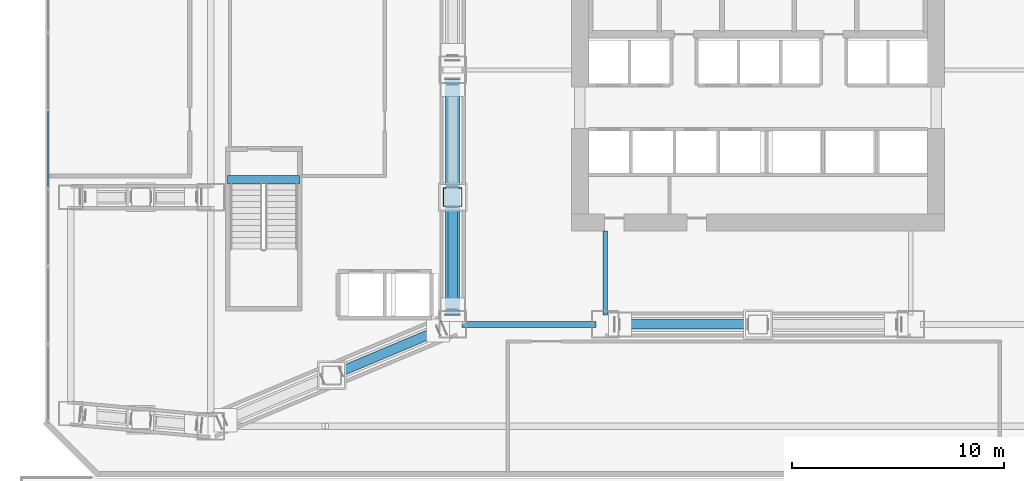
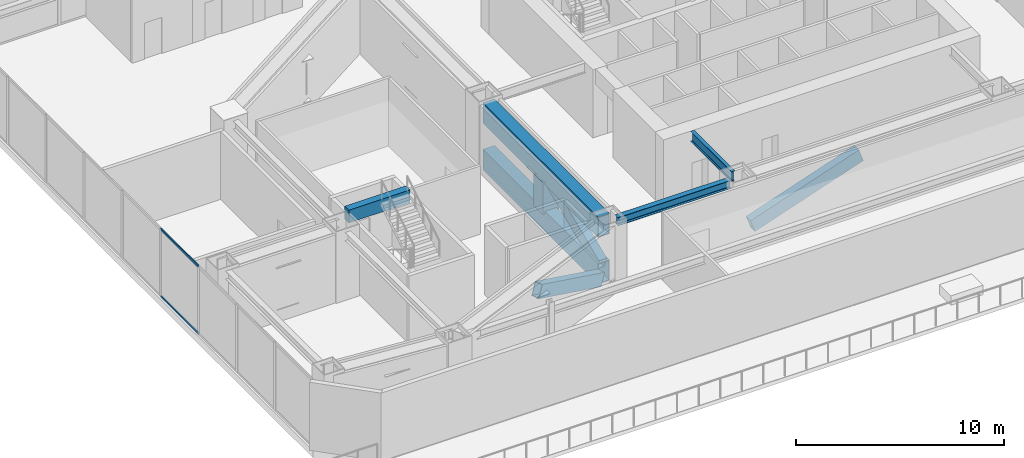
# One storey, part 7 of 39: 6 members, 5 beams, 1 element without a shape of its own.
"""IFC4 building model written with IfcOpenShell, lengths in metres."""

from ifc_helpers import new_model, si_unit, direction, frame, origin, origin_2d, place, context, subcontext, project, spatial, rectangle, hollow_rectangle, i_section, extrude, material, layer, layer_set, material_profile, profile_set, type_object, element, aggregate, save


model = new_model("IFC4")

# Units and contexts
model_context = context("Model", 3, precision=1e-05, world=origin(), true_north=direction((0.0, 1.0)))
body_context = subcontext(model_context, "Body", "Model", "MODEL_VIEW")
ifc_project = project(units=[si_unit("LENGTHUNIT", "METRE"), si_unit("AREAUNIT", "SQUARE_METRE"), si_unit("VOLUMEUNIT", "CUBIC_METRE"), si_unit("PLANEANGLEUNIT", "RADIAN"), si_unit("MASSUNIT", "GRAM", prefix="KILO")], contexts=[model_context])

# Site, building, storey
site_placement = place(None, origin())
site = spatial("IfcSite", under=ifc_project, at=site_placement, CompositionType="ELEMENT")
building_placement = place(site_placement, origin())
building = spatial("IfcBuilding", under=site, at=building_placement, Name="Haolan Belvedere Tower", CompositionType="ELEMENT")
storey_placement = place(building_placement, frame((0.0, 0.0, 19.800048828125)))
storey = spatial("IfcBuildingStorey", under=building, at=storey_placement, Name="L04", CompositionType="ELEMENT", Elevation=19.800048828125)

# Beams
ifc_material_1 = material(Name="Steel Q420GJC", Category="steel")
ifc_material_profile_1 = material_profile(ifc_material_1, hollow_rectangle(XDim=0.64990234375, YDim=1.199951171875, WallThickness=0.0400390625, at=origin_2d()), Name="Steel Q420GJC")
ifc_profile_set_1 = profile_set([ifc_material_profile_1], Name="Steel Q420GJC")
beam_type_1 = type_object("IfcBeamType", Name="BM-BOX1200x650x40", PredefinedType="BEAM", material=ifc_profile_set_1)
for number, where, z_axis, x_axis, name in (
    (1, (24.0, 22.050048828125, 3.33984375), (0.0, 1.0, 0.0), (-1.0, 0.0, 0.0), "L04 transfer truss TT-T3-W1 top chord"),
    (2, (24.0, 22.050048828125, 0.599853515625), (0.0, 1.0, 0.0), (-1.0, 0.0, 0.0), "L04 transfer truss TT-T3-W1 bottom chord"),
):
    element("IfcBeam", number, at=place(storey_placement, frame(where, z_axis=z_axis, x_axis=x_axis)), inside=storey, type_object=beam_type_1, Name=name, PredefinedType="BEAM", context=body_context, shape_type="SweptSolid", body=[
        extrude(hollow_rectangle(XDim=0.64990234375, YDim=1.199951171875, WallThickness=0.0400390625, at=origin_2d()), origin(), (0.0, 0.0, 1.0), 11.099853515625),
    ])
ifc_material_2 = material(Name="Steel Q355B", Category="steel")
ifc_material_profile_2 = material_profile(ifc_material_2, i_section(OverallWidth=0.300048828125, OverallDepth=0.488037109375, WebThickness=0.010986328125, FlangeThickness=0.01806640625, FilletRadius=0.02587890625, at=origin_2d()), Name="Steel Q355B")
ifc_profile_set_2 = profile_set([ifc_material_profile_2], Name="Steel Q355B")
beam_type_2 = type_object("IfcBeamType", Name="BM-HM488x300x11x18", PredefinedType="SPANDREL", material=ifc_profile_set_2)
beam_1_placement = place(storey_placement, frame((24.449951171875, 21.60009765625, 3.755859375), z_axis=(1.0, 0.0, 0.0), x_axis=(0.0, 1.0, 0.0)))
element("IfcBeam", 3, at=beam_1_placement, inside=storey, type_object=beam_type_2, Name="L04 spandrel girder MC-T3-SW-MC-T3-S1", PredefinedType="SPANDREL", context=body_context, shape_type="SweptSolid", body=[
    extrude(i_section(OverallWidth=0.300048828125, OverallDepth=0.488037109375, WebThickness=0.010986328125, FlangeThickness=0.01806640625, FilletRadius=0.02587890625, at=origin_2d()), origin(), (0.0, 0.0, 1.0), 6.300048828125),
])
ifc_material_profile_3 = material_profile(ifc_material_2, i_section(OverallWidth=0.199951171875, OverallDepth=0.60009765625, WebThickness=0.010986328125, FlangeThickness=0.01708984375, FilletRadius=0.02197265625, at=origin_2d()), Name="Steel Q355B")
ifc_profile_set_3 = profile_set([ifc_material_profile_3], Name="Steel Q355B")
beam_type_3 = type_object("IfcBeamType", Name="BM-HN600x200x11x17", PredefinedType="BEAM", material=ifc_profile_set_3)
beam_2_placement = place(storey_placement, frame((31.199951171875, 22.050048828125, 3.699951171875), z_axis=(0.0, 1.0, 0.0), x_axis=(-1.0, 0.0, 0.0)))
element("IfcBeam", 4, at=beam_2_placement, inside=storey, type_object=beam_type_3, Name="L04 core tie beam from MC-T3-S1", PredefinedType="BEAM", context=body_context, shape_type="SweptSolid", body=[
    extrude(i_section(OverallWidth=0.199951171875, OverallDepth=0.60009765625, WebThickness=0.010986328125, FlangeThickness=0.01708984375, FilletRadius=0.02197265625, at=origin_2d()), origin(), (0.0, 0.0, 1.0), 3.949951171875),
])
ifc_material_3 = material(Name="Concrete C50/60", Category="concrete")
ifc_material_profile_4 = material_profile(ifc_material_3, rectangle(XDim=0.39990234375, YDim=0.75, at=origin_2d()), Name="Concrete C50/60")
ifc_profile_set_4 = profile_set([ifc_material_profile_4], Name="Concrete C50/60")
beam_type_4 = type_object("IfcBeamType", Name="BM-RC400x750", PredefinedType="T_BEAM", material=ifc_profile_set_4)
beam_3_placement = place(storey_placement, frame((13.389892578125, 28.429931640625, 3.824951171875), z_axis=(1.0, 0.0, 0.0), x_axis=(0.0, 1.0, 0.0)))
element("IfcBeam", 5, at=beam_3_placement, inside=storey, type_object=beam_type_4, Name="L05 podium stair ST4 RC header trimmer beam", PredefinedType="BEAM", context=body_context, shape_type="SweptSolid", body=[
    extrude(rectangle(XDim=0.39990234375, YDim=0.75, at=origin_2d()), origin(), (0.0, 0.0, 1.0), 3.400146484375),
])

# Curtain wall, members
ifc_material_4 = material(Name="Anodised champagne-silver aluminium 6063-T6 and Low-E glass", Category="aluminium")
ifc_layer = layer(ifc_material_4, 0.179931640625, Name="Anodised champagne-silver aluminium 6063-T6 and Low-E glass")
ifc_layer_set = layer_set([ifc_layer], Name="Anodised champagne-silver aluminium 6063-T6 and Low-E glass")
curtain_wall_type = type_object("IfcCurtainWallType", Name="CW-SYS-01", PredefinedType="NOTDEFINED", material=ifc_layer_set)
curtain_wall_placement = place(storey_placement, origin())
curtain_wall = element("IfcCurtainWall", 6, at=curtain_wall_placement, inside=storey, type_object=curtain_wall_type, Name="L04 CW-SYS-01 ribbon curtain wall 4.1", PredefinedType="NOTDEFINED")
ifc_material_5 = material(Name="Anodised aluminium 6063-T6", Category="aluminium")
ifc_material_profile_5 = material_profile(ifc_material_5, hollow_rectangle(XDim=0.06005859375, YDim=0.139892578125, WallThickness=0.00390625, at=origin_2d()), Name="Anodised aluminium 6063-T6")
ifc_profile_set_5 = profile_set([ifc_material_profile_5], Name="Anodised aluminium 6063-T6")
member_type_1 = type_object("IfcMemberType", Name="CW-SYS-01-TRN", PredefinedType="USERDEFINED", material=ifc_profile_set_5)
member_1_placement = place(storey_placement, frame((4.929931640625, 31.65576171875, 0.030029296875), z_axis=(0.0, -1.0, 0.0), x_axis=(1.0, 0.0, 0.0)))
member_1 = element("IfcMember", 7, at=member_1_placement, type_object=member_type_1, Name="CW-01 transom 7.1", ObjectType="TRANSOM", PredefinedType="USERDEFINED", context=body_context, shape_type="SweptSolid", body=[
    extrude(hollow_rectangle(XDim=0.06005859375, YDim=0.139892578125, WallThickness=0.00390625, at=origin_2d()), origin(), (0.0, 0.0, 1.0), 3.608642578125),
])
member_2_placement = place(storey_placement, frame((4.929931640625, 31.65576171875, 3.969970703125), z_axis=(0.0, -1.0, 0.0), x_axis=(1.0, 0.0, 0.0)))
member_2 = element("IfcMember", 8, at=member_2_placement, type_object=member_type_1, Name="CW-01 transom 7.2", ObjectType="TRANSOM", PredefinedType="USERDEFINED", context=body_context, shape_type="SweptSolid", body=[
    extrude(hollow_rectangle(XDim=0.06005859375, YDim=0.139892578125, WallThickness=0.00390625, at=origin_2d()), origin(), (0.0, 0.0, 1.0), 3.608642578125),
])
aggregate(curtain_wall, [member_1, member_2])

# Members
ifc_material_6 = material(Name="Steel Q390GJC", Category="steel")
ifc_material_profile_6 = material_profile(ifc_material_6, hollow_rectangle(XDim=0.449951171875, YDim=0.75, WallThickness=0.028076171875, at=origin_2d()), Name="Steel Q390GJC")
ifc_profile_set_6 = profile_set([ifc_material_profile_6], Name="Steel Q390GJC")
member_type_2 = type_object("IfcMemberType", Name="MEM-BOX750x450x28", PredefinedType="BRACE", material=ifc_profile_set_6)
member_3_placement = place(storey_placement, frame((24.0, 22.2900390625, 0.93994140625), z_axis=(0.0, 0.919831415145, 0.392313863778), x_axis=(-1.0, 0.0, 0.0)))
element("IfcMember", 9, at=member_3_placement, inside=storey, type_object=member_type_2, Name="L04 transfer truss TT-T3-W1 web diagonal 1", PredefinedType="BRACE", context=body_context, shape_type="SweptSolid", body=[
    extrude(hollow_rectangle(XDim=0.449951171875, YDim=0.75, WallThickness=0.028076171875, at=origin_2d()), origin(), (0.0, 0.0, 1.0), 5.2509765625),
])
member_4_placement = place(storey_placement, frame((31.889892578125, 21.60009765625, 0.93994140625), z_axis=(0.94630069303, 0.0, 0.323287794963), x_axis=(0.0, 1.0, 0.0)))
element("IfcMember", 10, at=member_4_placement, inside=storey, type_object=member_type_2, Name="L04 transfer truss TT-T3-SM web diagonal 1", PredefinedType="BRACE", context=body_context, shape_type="SweptSolid", body=[
    extrude(hollow_rectangle(XDim=0.449951171875, YDim=0.75, WallThickness=0.028076171875, at=origin_2d()), origin(), (0.0, 0.0, 1.0), 6.372314453125),
])
member_5_placement = place(storey_placement, frame((23.31298828125, 21.310791015625, 0.93994140625), z_axis=(-0.851115134729, -0.358385802418, 0.383617835951), x_axis=(0.388076807636, -0.921627034855, 0.0)))
element("IfcMember", 11, at=member_5_placement, inside=storey, type_object=member_type_2, Name="L04 transfer truss TT-T2-S web diagonal 2", PredefinedType="BRACE", context=body_context, shape_type="SweptSolid", body=[
    extrude(hollow_rectangle(XDim=0.449951171875, YDim=0.75, WallThickness=0.028076171875, at=origin_2d()), origin(), (0.0, 0.0, 1.0), 5.3701171875),
])
ifc_material_profile_7 = material_profile(ifc_material_6, hollow_rectangle(XDim=0.89990234375, YDim=0.89990234375, WallThickness=0.033935546875, at=origin_2d()), Name="Steel Q390GJC")
ifc_profile_set_7 = profile_set([ifc_material_profile_7], Name="Steel Q390GJC")
member_type_3 = type_object("IfcMemberType", Name="MEM-BOX900x900x34", PredefinedType="POST", material=ifc_profile_set_7)
member_6_placement = place(storey_placement, frame((24.0, 27.60009765625, 1.0400390625), z_axis=(0.0, 0.0, 1.0), x_axis=(1.0, 0.0, 0.0)))
element("IfcMember", 12, at=member_6_placement, inside=storey, type_object=member_type_3, Name="L04 transfer truss TT-T3-W1 web post", PredefinedType="POST", context=body_context, shape_type="SweptSolid", body=[
    extrude(hollow_rectangle(XDim=0.89990234375, YDim=0.89990234375, WallThickness=0.033935546875, at=origin_2d()), origin(), (0.0, 0.0, 1.0), 1.85986328125),
])

save(model, "model.ifc")
